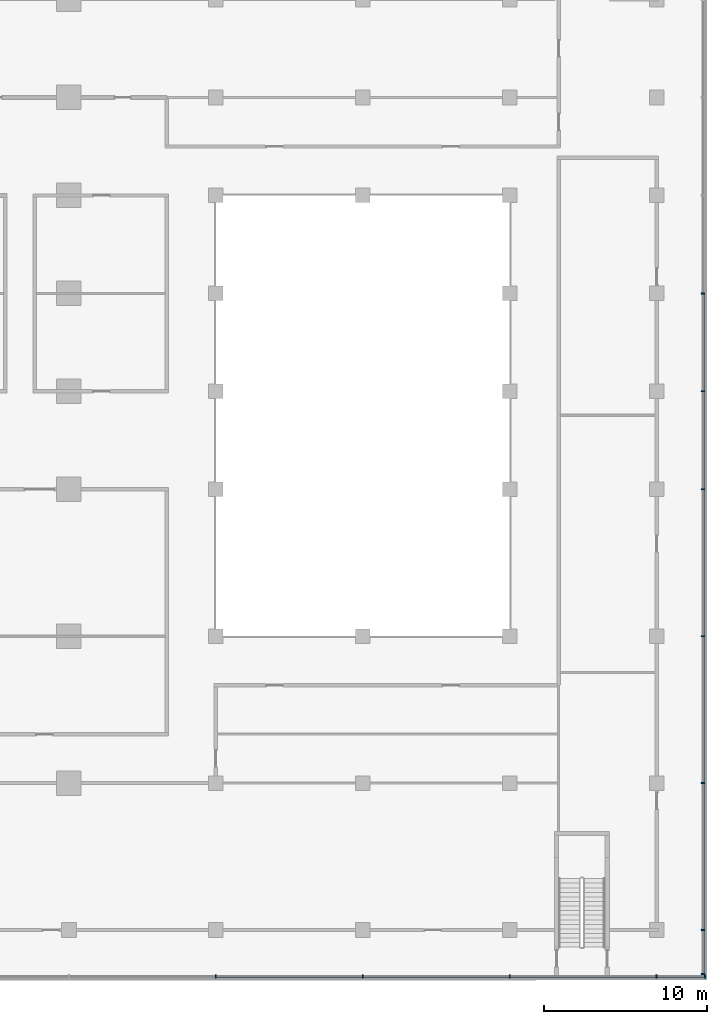
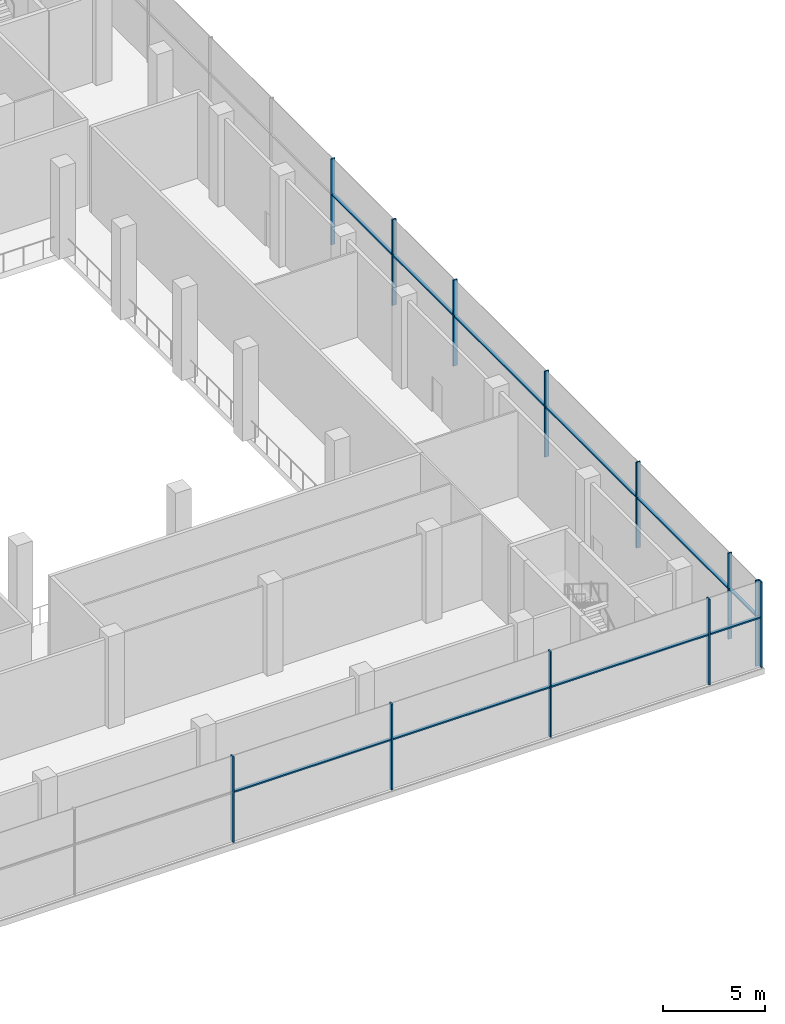
# One storey, part 5 of 22: 22 members, 2 elements without a shape of their own.
"""IFC4 building model written with IfcOpenShell, lengths in metres."""

from ifc_helpers import new_model, si_unit, direction, frame, origin, origin_2d, place, context, subcontext, project, spatial, rectangle, extrude, material, material_profile, profile_set, type_object, element, aggregate, save


model = new_model("IFC4")

# Units and contexts
model_context = context("Model", 3, precision=1e-05, world=origin(), true_north=direction((0.0, 1.0)))
body_context = subcontext(model_context, "Body", "Model", "MODEL_VIEW")
ifc_project = project(units=[si_unit("LENGTHUNIT", "METRE"), si_unit("AREAUNIT", "SQUARE_METRE"), si_unit("VOLUMEUNIT", "CUBIC_METRE"), si_unit("PLANEANGLEUNIT", "RADIAN"), si_unit("MASSUNIT", "GRAM", prefix="KILO")], contexts=[model_context])

# Site, building, storey
site_placement = place(None, origin())
site = spatial("IfcSite", under=ifc_project, at=site_placement, CompositionType="ELEMENT")
building_placement = place(site_placement, origin())
building = spatial("IfcBuilding", under=site, at=building_placement, Name="Finial Court Residences", CompositionType="ELEMENT")
storey_placement = place(building_placement, frame((0.0, 0.0, 8.0)))
storey = spatial("IfcBuildingStorey", under=building, at=storey_placement, Name="L01", CompositionType="ELEMENT", Elevation=8.0)

# Curtain wall, members
ifc_material = material(Name="Bronze anodised aluminium", Category="aluminium")
curtain_wall_type = type_object("IfcCurtainWallType", Name="Podium curtain wall", PredefinedType="NOTDEFINED", material=ifc_material)
curtain_wall_1_placement = place(storey_placement, origin())
curtain_wall_1 = element("IfcCurtainWall", 1, at=curtain_wall_1_placement, inside=storey, type_object=curtain_wall_type, Name="E-L01-CW-E2", PredefinedType="NOTDEFINED")
ifc_material_profile_1 = material_profile(ifc_material, rectangle(XDim=0.22509765625, YDim=0.080078125, at=origin_2d()), Name="CW5 mullion 80 x 225")
ifc_profile_set_1 = profile_set([ifc_material_profile_1], Name="Bronze anodised aluminium")
member_type_1 = type_object("IfcMemberType", Name="CW5 mullion 80 x 225", PredefinedType="MULLION", material=ifc_profile_set_1)
member_1_placement = place(storey_placement, frame((61.35009765625, -34.197509765625, 0.0), z_axis=(0.0, 0.0, 1.0), x_axis=(-1.0, 0.0, 0.0)))
member_1 = element("IfcMember", 2, at=member_1_placement, type_object=member_type_1, Name="CW5 mullion 1", PredefinedType="MULLION", context=body_context, shape_type="SweptSolid", body=[
    extrude(rectangle(XDim=0.22509765625, YDim=0.080078125, at=origin_2d()), origin(), (0.0, 0.0, 1.0), 5.14990234375),
])
member_2_placement = place(storey_placement, frame((61.35009765625, -31.5, 0.0), z_axis=(0.0, 0.0, 1.0), x_axis=(-1.0, 0.0, 0.0)))
member_2 = element("IfcMember", 3, at=member_2_placement, type_object=member_type_1, Name="CW5 mullion 2", PredefinedType="MULLION", context=body_context, shape_type="SweptSolid", body=[
    extrude(rectangle(XDim=0.22509765625, YDim=0.080078125, at=origin_2d()), origin(), (0.0, 0.0, 1.0), 5.14990234375),
])
member_3_placement = place(storey_placement, frame((61.35009765625, -22.5, 0.0), z_axis=(0.0, 0.0, 1.0), x_axis=(-1.0, 0.0, 0.0)))
member_3 = element("IfcMember", 4, at=member_3_placement, type_object=member_type_1, Name="CW5 mullion 3", PredefinedType="MULLION", context=body_context, shape_type="SweptSolid", body=[
    extrude(rectangle(XDim=0.22509765625, YDim=0.080078125, at=origin_2d()), origin(), (0.0, 0.0, 1.0), 5.14990234375),
])
member_4_placement = place(storey_placement, frame((61.35009765625, -13.5, 0.0), z_axis=(0.0, 0.0, 1.0), x_axis=(-1.0, 0.0, 0.0)))
member_4 = element("IfcMember", 5, at=member_4_placement, type_object=member_type_1, Name="CW5 mullion 4", PredefinedType="MULLION", context=body_context, shape_type="SweptSolid", body=[
    extrude(rectangle(XDim=0.22509765625, YDim=0.080078125, at=origin_2d()), origin(), (0.0, 0.0, 1.0), 5.14990234375),
])
member_5_placement = place(storey_placement, frame((61.35009765625, -4.5, 0.0), z_axis=(0.0, 0.0, 1.0), x_axis=(-1.0, 0.0, 0.0)))
member_5 = element("IfcMember", 6, at=member_5_placement, type_object=member_type_1, Name="CW5 mullion 5", PredefinedType="MULLION", context=body_context, shape_type="SweptSolid", body=[
    extrude(rectangle(XDim=0.22509765625, YDim=0.080078125, at=origin_2d()), origin(), (0.0, 0.0, 1.0), 5.14990234375),
])
member_6_placement = place(storey_placement, frame((61.35009765625, 1.5, 0.0), z_axis=(0.0, 0.0, 1.0), x_axis=(-1.0, 0.0, 0.0)))
member_6 = element("IfcMember", 7, at=member_6_placement, type_object=member_type_1, Name="CW5 mullion 6", PredefinedType="MULLION", context=body_context, shape_type="SweptSolid", body=[
    extrude(rectangle(XDim=0.22509765625, YDim=0.080078125, at=origin_2d()), origin(), (0.0, 0.0, 1.0), 5.14990234375),
])
member_7_placement = place(storey_placement, frame((61.35009765625, 7.5, 0.0), z_axis=(0.0, 0.0, 1.0), x_axis=(-1.0, 0.0, 0.0)))
member_7 = element("IfcMember", 8, at=member_7_placement, type_object=member_type_1, Name="CW5 mullion 7", PredefinedType="MULLION", context=body_context, shape_type="SweptSolid", body=[
    extrude(rectangle(XDim=0.22509765625, YDim=0.080078125, at=origin_2d()), origin(), (0.0, 0.0, 1.0), 5.14990234375),
])

curtain_wall_2_placement = place(storey_placement, origin())
curtain_wall_2 = element("IfcCurtainWall", 9, at=curtain_wall_2_placement, inside=storey, type_object=curtain_wall_type, Name="E-L01-CW-S3", PredefinedType="NOTDEFINED")
member_8_placement = place(storey_placement, frame((31.5, -34.35009765625, 0.0), z_axis=(0.0, 0.0, 1.0), x_axis=(0.0, 1.0, 0.0)))
member_8 = element("IfcMember", 10, at=member_8_placement, type_object=member_type_1, Name="CW5 mullion 11", PredefinedType="MULLION", context=body_context, shape_type="SweptSolid", body=[
    extrude(rectangle(XDim=0.22509765625, YDim=0.080078125, at=origin_2d()), origin(), (0.0, 0.0, 1.0), 5.14990234375),
])
member_9_placement = place(storey_placement, frame((40.5, -34.35009765625, 0.0), z_axis=(0.0, 0.0, 1.0), x_axis=(0.0, 1.0, 0.0)))
member_9 = element("IfcMember", 11, at=member_9_placement, type_object=member_type_1, Name="CW5 mullion 12", PredefinedType="MULLION", context=body_context, shape_type="SweptSolid", body=[
    extrude(rectangle(XDim=0.22509765625, YDim=0.080078125, at=origin_2d()), origin(), (0.0, 0.0, 1.0), 5.14990234375),
])
member_10_placement = place(storey_placement, frame((49.5, -34.35009765625, 0.0), z_axis=(0.0, 0.0, 1.0), x_axis=(0.0, 1.0, 0.0)))
member_10 = element("IfcMember", 12, at=member_10_placement, type_object=member_type_1, Name="CW5 mullion 13", PredefinedType="MULLION", context=body_context, shape_type="SweptSolid", body=[
    extrude(rectangle(XDim=0.22509765625, YDim=0.080078125, at=origin_2d()), origin(), (0.0, 0.0, 1.0), 5.14990234375),
])
member_11_placement = place(storey_placement, frame((58.5, -34.35009765625, 0.0), z_axis=(0.0, 0.0, 1.0), x_axis=(0.0, 1.0, 0.0)))
member_11 = element("IfcMember", 13, at=member_11_placement, type_object=member_type_1, Name="CW5 mullion 14", PredefinedType="MULLION", context=body_context, shape_type="SweptSolid", body=[
    extrude(rectangle(XDim=0.22509765625, YDim=0.080078125, at=origin_2d()), origin(), (0.0, 0.0, 1.0), 5.14990234375),
])
member_12_placement = place(storey_placement, frame((61.4599609375, -34.35009765625, 0.0), z_axis=(0.0, 0.0, 1.0), x_axis=(0.0, 1.0, 0.0)))
member_12 = element("IfcMember", 14, at=member_12_placement, type_object=member_type_1, Name="CW5 mullion 15", PredefinedType="MULLION", context=body_context, shape_type="SweptSolid", body=[
    extrude(rectangle(XDim=0.22509765625, YDim=0.080078125, at=origin_2d()), origin(), (0.0, 0.0, 1.0), 5.14990234375),
])

# Member
ifc_material_profile_2 = material_profile(ifc_material, rectangle(XDim=0.175048828125, YDim=0.080078125, at=origin_2d()), Name="CW5 transom 80 x 175")
ifc_profile_set_2 = profile_set([ifc_material_profile_2], Name="Bronze anodised aluminium")
member_type_2 = type_object("IfcMemberType", Name="CW5 transom 80 x 175", PredefinedType="USERDEFINED", material=ifc_profile_set_2)
member_13_placement = place(storey_placement, frame((61.35009765625, -34.157470703125, 3.0), z_axis=(0.0, 1.0, 0.0), x_axis=(-1.0, 0.0, 0.0)))
member_13 = element("IfcMember", 15, at=member_13_placement, type_object=member_type_2, Name="CW5 transom 1.1", ObjectType="TRANSOM", PredefinedType="USERDEFINED", context=body_context, shape_type="SweptSolid", body=[
    extrude(rectangle(XDim=0.175048828125, YDim=0.080078125, at=origin_2d()), origin(), (0.0, 0.0, 1.0), 2.617431640625),
])

member_14_placement = place(storey_placement, frame((61.35009765625, -31.4599609375, 3.0), z_axis=(0.0, 1.0, 0.0), x_axis=(-1.0, 0.0, 0.0)))
member_14 = element("IfcMember", 16, at=member_14_placement, type_object=member_type_2, Name="CW5 transom 2.1", ObjectType="TRANSOM", PredefinedType="USERDEFINED", context=body_context, shape_type="SweptSolid", body=[
    extrude(rectangle(XDim=0.175048828125, YDim=0.080078125, at=origin_2d()), origin(), (0.0, 0.0, 1.0), 8.919921875),
])

member_15_placement = place(storey_placement, frame((61.35009765625, -22.4599609375, 3.0), z_axis=(0.0, 1.0, 0.0), x_axis=(-1.0, 0.0, 0.0)))
member_15 = element("IfcMember", 17, at=member_15_placement, type_object=member_type_2, Name="CW5 transom 3.1", ObjectType="TRANSOM", PredefinedType="USERDEFINED", context=body_context, shape_type="SweptSolid", body=[
    extrude(rectangle(XDim=0.175048828125, YDim=0.080078125, at=origin_2d()), origin(), (0.0, 0.0, 1.0), 8.919921875),
])

member_16_placement = place(storey_placement, frame((61.35009765625, -13.4599609375, 3.0), z_axis=(0.0, 1.0, 0.0), x_axis=(-1.0, 0.0, 0.0)))
member_16 = element("IfcMember", 18, at=member_16_placement, type_object=member_type_2, Name="CW5 transom 4.1", ObjectType="TRANSOM", PredefinedType="USERDEFINED", context=body_context, shape_type="SweptSolid", body=[
    extrude(rectangle(XDim=0.175048828125, YDim=0.080078125, at=origin_2d()), origin(), (0.0, 0.0, 1.0), 8.919921875),
])

member_17_placement = place(storey_placement, frame((61.35009765625, -4.4599609375, 3.0), z_axis=(0.0, 1.0, 0.0), x_axis=(-1.0, 0.0, 0.0)))
member_17 = element("IfcMember", 19, at=member_17_placement, type_object=member_type_2, Name="CW5 transom 5.1", ObjectType="TRANSOM", PredefinedType="USERDEFINED", context=body_context, shape_type="SweptSolid", body=[
    extrude(rectangle(XDim=0.175048828125, YDim=0.080078125, at=origin_2d()), origin(), (0.0, 0.0, 1.0), 5.919921875),
])

member_18_placement = place(storey_placement, frame((61.35009765625, 1.5400390625, 3.0), z_axis=(0.0, 1.0, 0.0), x_axis=(-1.0, 0.0, 0.0)))
member_18 = element("IfcMember", 20, at=member_18_placement, type_object=member_type_2, Name="CW5 transom 6.1", ObjectType="TRANSOM", PredefinedType="USERDEFINED", context=body_context, shape_type="SweptSolid", body=[
    extrude(rectangle(XDim=0.175048828125, YDim=0.080078125, at=origin_2d()), origin(), (0.0, 0.0, 1.0), 5.919921875),
])

aggregate(curtain_wall_1, [member_1, member_2, member_3, member_4, member_5, member_6, member_7, member_13, member_14, member_15, member_16, member_17, member_18])

member_19_placement = place(storey_placement, frame((31.5400390625, -34.35009765625, 3.0), z_axis=(1.0, 0.0, 0.0), x_axis=(0.0, 1.0, 0.0)))
member_19 = element("IfcMember", 21, at=member_19_placement, type_object=member_type_2, Name="CW5 transom 11.1", ObjectType="TRANSOM", PredefinedType="USERDEFINED", context=body_context, shape_type="SweptSolid", body=[
    extrude(rectangle(XDim=0.175048828125, YDim=0.080078125, at=origin_2d()), origin(), (0.0, 0.0, 1.0), 8.919921875),
])

member_20_placement = place(storey_placement, frame((40.5400390625, -34.35009765625, 3.0), z_axis=(1.0, 0.0, 0.0), x_axis=(0.0, 1.0, 0.0)))
member_20 = element("IfcMember", 22, at=member_20_placement, type_object=member_type_2, Name="CW5 transom 12.1", ObjectType="TRANSOM", PredefinedType="USERDEFINED", context=body_context, shape_type="SweptSolid", body=[
    extrude(rectangle(XDim=0.175048828125, YDim=0.080078125, at=origin_2d()), origin(), (0.0, 0.0, 1.0), 8.919921875),
])

member_21_placement = place(storey_placement, frame((49.5400390625, -34.35009765625, 3.0), z_axis=(1.0, 0.0, 0.0), x_axis=(0.0, 1.0, 0.0)))
member_21 = element("IfcMember", 23, at=member_21_placement, type_object=member_type_2, Name="CW5 transom 13.1", ObjectType="TRANSOM", PredefinedType="USERDEFINED", context=body_context, shape_type="SweptSolid", body=[
    extrude(rectangle(XDim=0.175048828125, YDim=0.080078125, at=origin_2d()), origin(), (0.0, 0.0, 1.0), 8.919921875),
])

member_22_placement = place(storey_placement, frame((58.5400390625, -34.35009765625, 3.0), z_axis=(1.0, 0.0, 0.0), x_axis=(0.0, 1.0, 0.0)))
member_22 = element("IfcMember", 24, at=member_22_placement, type_object=member_type_2, Name="CW5 transom 14.1", ObjectType="TRANSOM", PredefinedType="USERDEFINED", context=body_context, shape_type="SweptSolid", body=[
    extrude(rectangle(XDim=0.175048828125, YDim=0.080078125, at=origin_2d()), origin(), (0.0, 0.0, 1.0), 2.8798828125),
])

aggregate(curtain_wall_2, [member_8, member_9, member_10, member_11, member_12, member_19, member_20, member_21, member_22])

save(model, "model.ifc")
